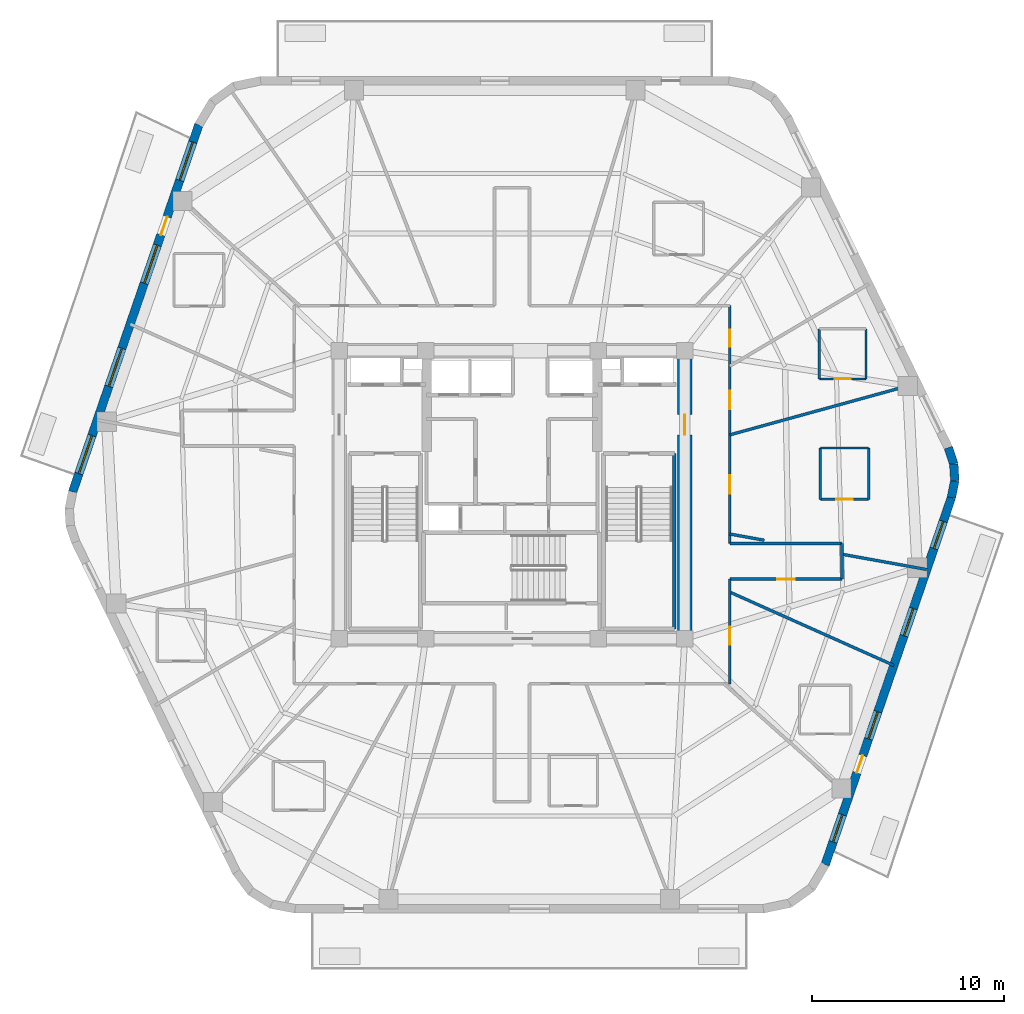
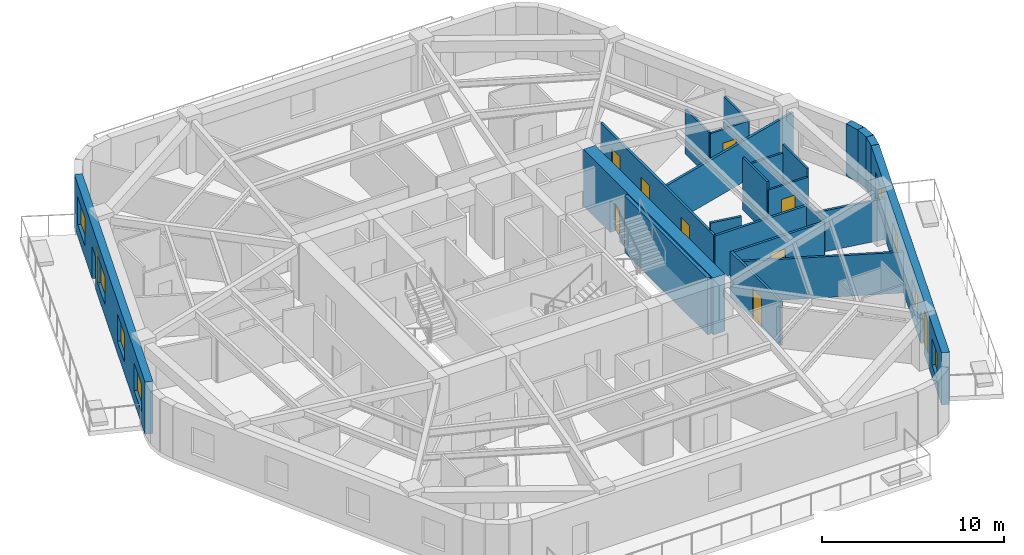
# One storey, part 5 of 9: 23 walls, 10 doors, 8 windows, 18 openings.
"""IFC4 building model written with IfcOpenShell, lengths in metres."""

from ifc_helpers import new_model, si_unit, direction, frame, frame_2d, origin, place, context, subcontext, project, spatial, rectangle, extrude, material, layer, layer_set, type_object, element, fill, save


model = new_model("IFC4")

# Units and contexts
model_context = context("Model", 3, precision=1e-05, world=origin(), true_north=direction((0.0, 1.0)))
body_context = subcontext(model_context, "Body", "Model", "MODEL_VIEW")
ifc_project = project(units=[si_unit("LENGTHUNIT", "METRE"), si_unit("AREAUNIT", "SQUARE_METRE"), si_unit("VOLUMEUNIT", "CUBIC_METRE"), si_unit("PLANEANGLEUNIT", "RADIAN"), si_unit("MASSUNIT", "GRAM", prefix="KILO")], contexts=[model_context])

# Site, building, storey
site_placement = place(None, origin())
site = spatial("IfcSite", under=ifc_project, at=site_placement, CompositionType="ELEMENT")
building_placement = place(site_placement, origin())
building = spatial("IfcBuilding", under=site, at=building_placement, Name="Kilnhurst Terrace Hotel", CompositionType="ELEMENT")
storey_placement = place(building_placement, frame((0.0, 0.0, 225.5)))
storey = spatial("IfcBuildingStorey", under=building, at=storey_placement, Name="L56", CompositionType="ELEMENT", Elevation=225.5)

# Walls
ifc_material_1 = material(Name="Precast concrete C40/50", Category="concrete")
ifc_layer_1 = layer(ifc_material_1, 0.449951171875, Name="Precast concrete C40/50")
ifc_layer_set_1 = layer_set([ifc_layer_1], Name="Precast concrete C40/50")
wall_type_1 = type_object("IfcWallType", Name="WL-BRK-450", PredefinedType="SOLIDWALL", material=ifc_layer_set_1)
wall_1_placement = place(storey_placement, frame((22.8984375, -0.149658203125, 0.0), z_axis=(0.0, 0.0, 1.0), x_axis=(0.199055826889, 0.979988151858, 0.0)))
element("IfcWall", 1, at=wall_1_placement, inside=storey, type_object=wall_type_1, Name="L56 Rounded Corner Brick Wall C3.1", PredefinedType="SOLIDWALL", context=body_context, shape_type="SweptSolid", body=[
    extrude(rectangle(XDim=0.89404296875, YDim=0.449951171875, at=frame_2d((0.447021484375, 0.0))), origin(), (0.0, 0.0, 1.0), 3.5),
])
wall_2_placement = place(storey_placement, frame((23.076416015625, 0.7265625, 0.0), z_axis=(0.0, 0.0, 1.0), x_axis=(-0.060805222108, 0.998149650586, 0.0)))
element("IfcWall", 2, at=wall_2_placement, inside=storey, type_object=wall_type_1, Name="L56 Rounded Corner Brick Wall C3.2", PredefinedType="SOLIDWALL", context=body_context, shape_type="SweptSolid", body=[
    extrude(rectangle(XDim=0.87939453125, YDim=0.449951171875, at=frame_2d((0.439697265625, 0.0))), origin(), (0.0, 0.0, 1.0), 3.5),
])
wall_3_placement = place(storey_placement, frame((23.02294921875, 1.604248046875, 0.0), z_axis=(0.0, 0.0, 1.0), x_axis=(-0.316801227695, 0.948491951537, 0.0)))
element("IfcWall", 3, at=wall_3_placement, inside=storey, type_object=wall_type_1, Name="L56 Rounded Corner Brick Wall C3.3", PredefinedType="SOLIDWALL", context=body_context, shape_type="SweptSolid", body=[
    extrude(rectangle(XDim=0.89404296875, YDim=0.449951171875, at=frame_2d((0.447021484375, 0.0))), origin(), (0.0, 0.0, 1.0), 3.5),
])

# Wall, openings, door, windows
wall_4_placement = place(storey_placement, frame((16.323974609375, -19.275146484375, 0.0), z_axis=(0.0, 0.0, 1.0), x_axis=(0.325083142304, 0.945685439557, 0.0)))
wall_4 = element("IfcWall", 4, at=wall_4_placement, inside=storey, type_object=wall_type_1, Name="L56 Exterior Brick Facade Wall F2", PredefinedType="SOLIDWALL", context=body_context, shape_type="SweptSolid", body=[
    extrude(rectangle(XDim=20.223876953125, YDim=0.449951171875, at=frame_2d((10.11181640625, 0.0))), origin(), (0.0, 0.0, 1.0), 3.5),
])
opening_1_placement = place(wall_4_placement, frame((5.06201171875, 0.0, 0.0)))
opening_1 = element("IfcOpeningElement", 5, at=opening_1_placement, cuts=wall_4, Name="Opening BD-950", PredefinedType="OPENING", context=body_context, shape_type="SweptSolid", body=[
    extrude(rectangle(XDim=0.949951171875, YDim=2.14990234375, at=frame_2d((0.47509765625, 1.074951171875))), frame((0.0, 0.23486328125, 0.0), z_axis=(0.0, -1.0, 0.0), x_axis=(1.0, 0.0, 0.0)), (0.0, 0.0, 1.0), 0.469970703125),
])
opening_2_placement = place(wall_4_placement, frame((1.2529296875, 0.0, 0.800048828125)))
opening_2 = element("IfcOpeningElement", 6, at=opening_2_placement, cuts=wall_4, Name="Opening W-02", PredefinedType="OPENING", context=body_context, shape_type="SweptSolid", body=[
    extrude(rectangle(XDim=1.5, YDim=1.800048828125, at=frame_2d((0.75, 0.89990234375))), frame((0.0, 0.23486328125, 0.0), z_axis=(0.0, -1.0, 0.0), x_axis=(1.0, 0.0, 0.0)), (0.0, 0.0, 1.0), 0.469970703125),
])
opening_3_placement = place(wall_4_placement, frame((6.928955078125, 0.0, 0.800048828125)))
opening_3 = element("IfcOpeningElement", 7, at=opening_3_placement, cuts=wall_4, Name="Opening W-02", PredefinedType="OPENING", context=body_context, shape_type="SweptSolid", body=[
    extrude(rectangle(XDim=1.5, YDim=1.800048828125, at=frame_2d((0.75, 0.89990234375))), frame((0.0, 0.23486328125, 0.0), z_axis=(0.0, -1.0, 0.0), x_axis=(1.0, 0.0, 0.0)), (0.0, 0.0, 1.0), 0.469970703125),
])
opening_4_placement = place(wall_4_placement, frame((12.612060546875, 0.0, 0.800048828125)))
opening_4 = element("IfcOpeningElement", 8, at=opening_4_placement, cuts=wall_4, Name="Opening W-02", PredefinedType="OPENING", context=body_context, shape_type="SweptSolid", body=[
    extrude(rectangle(XDim=1.5, YDim=1.800048828125, at=frame_2d((0.75, 0.89990234375))), frame((0.0, 0.23486328125, 0.0), z_axis=(0.0, -1.0, 0.0), x_axis=(1.0, 0.0, 0.0)), (0.0, 0.0, 1.0), 0.469970703125),
])
opening_5_placement = place(wall_4_placement, frame((17.41796875, 0.0, 0.800048828125)))
opening_5 = element("IfcOpeningElement", 9, at=opening_5_placement, cuts=wall_4, Name="Opening W-02", PredefinedType="OPENING", context=body_context, shape_type="SweptSolid", body=[
    extrude(rectangle(XDim=1.5, YDim=1.800048828125, at=frame_2d((0.75, 0.89990234375))), frame((0.0, 0.23486328125, 0.0), z_axis=(0.0, -1.0, 0.0), x_axis=(1.0, 0.0, 0.0)), (0.0, 0.0, 1.0), 0.469970703125),
])
ifc_material_2 = material(Name="Thermally Broken Bronze Aluminium Alloy 6063-T6 and Laminated Glass", Category="aluminium")
door_type_1 = type_object("IfcDoorType", Name="DR-EXT-BAL-950", OperationType="NOTDEFINED", PredefinedType="DOOR", material=ifc_material_2)
door_1_placement = place(opening_1_placement, origin())
door_1 = element("IfcDoor", 10, at=door_1_placement, inside=storey, type_object=door_type_1, Name="L56 Planted Balcony Door BAL-L1B", OperationType="SINGLE_SWING_RIGHT", OverallHeight=2.14990234375, OverallWidth=0.949951171875, PredefinedType="DOOR", context=body_context, shape_type="SweptSolid", body=[
    extrude(rectangle(XDim=0.949951171875, YDim=2.14990234375, at=frame_2d((0.47509765625, 1.074951171875))), frame((0.0, 0.02490234375, 0.0), z_axis=(0.0, -1.0, 0.0), x_axis=(1.0, 0.0, 0.0)), (0.0, 0.0, 1.0), 0.050048828125),
])
fill(opening_1, door_1)
ifc_material_3 = material(Name="Thermally Broken Bronze Aluminium Alloy 6063-T6 and Low-E Glass", Category="aluminium")
window_type_1 = type_object("IfcWindowType", Name="WIN-1500X1800", PartitioningType="SINGLE_PANEL", PredefinedType="WINDOW", material=ifc_material_3)
window_1_placement = place(opening_2_placement, origin())
window_1 = element("IfcWindow", 11, at=window_1_placement, inside=storey, type_object=window_type_1, Name="L56 Deep-Set Masonry Window F2.1", OverallHeight=1.800048828125, OverallWidth=1.5, PartitioningType="SINGLE_PANEL", PredefinedType="WINDOW", context=body_context, shape_type="SweptSolid", body=[
    extrude(rectangle(XDim=1.5, YDim=1.800048828125, at=frame_2d((0.75, 0.89990234375))), frame((0.0, 0.030029296875, 0.0), z_axis=(0.0, -1.0, 0.0), x_axis=(1.0, 0.0, 0.0)), (0.0, 0.0, 1.0), 0.06005859375),
])
fill(opening_2, window_1)
window_2_placement = place(opening_3_placement, origin())
window_2 = element("IfcWindow", 12, at=window_2_placement, inside=storey, type_object=window_type_1, Name="L56 Deep-Set Masonry Window F2.2", OverallHeight=1.800048828125, OverallWidth=1.5, PartitioningType="SINGLE_PANEL", PredefinedType="WINDOW", context=body_context, shape_type="SweptSolid", body=[
    extrude(rectangle(XDim=1.5, YDim=1.800048828125, at=frame_2d((0.75, 0.89990234375))), frame((0.0, 0.030029296875, 0.0), z_axis=(0.0, -1.0, 0.0), x_axis=(1.0, 0.0, 0.0)), (0.0, 0.0, 1.0), 0.06005859375),
])
fill(opening_3, window_2)
window_3_placement = place(opening_4_placement, origin())
window_3 = element("IfcWindow", 13, at=window_3_placement, inside=storey, type_object=window_type_1, Name="L56 Deep-Set Masonry Window F2.3", OverallHeight=1.800048828125, OverallWidth=1.5, PartitioningType="SINGLE_PANEL", PredefinedType="WINDOW", context=body_context, shape_type="SweptSolid", body=[
    extrude(rectangle(XDim=1.5, YDim=1.800048828125, at=frame_2d((0.75, 0.89990234375))), frame((0.0, 0.030029296875, 0.0), z_axis=(0.0, -1.0, 0.0), x_axis=(1.0, 0.0, 0.0)), (0.0, 0.0, 1.0), 0.06005859375),
])
fill(opening_4, window_3)
window_4_placement = place(opening_5_placement, origin())
window_4 = element("IfcWindow", 14, at=window_4_placement, inside=storey, type_object=window_type_1, Name="L56 Deep-Set Masonry Window F2.4", OverallHeight=1.800048828125, OverallWidth=1.5, PartitioningType="SINGLE_PANEL", PredefinedType="WINDOW", context=body_context, shape_type="SweptSolid", body=[
    extrude(rectangle(XDim=1.5, YDim=1.800048828125, at=frame_2d((0.75, 0.89990234375))), frame((0.0, 0.030029296875, 0.0), z_axis=(0.0, -1.0, 0.0), x_axis=(1.0, 0.0, 0.0)), (0.0, 0.0, 1.0), 0.06005859375),
])
fill(opening_5, window_4)

wall_5_placement = place(storey_placement, frame((-16.323974609375, 19.275146484375, 0.0), z_axis=(0.0, 0.0, 1.0), x_axis=(-0.325083142304, -0.945685439557, 0.0)))
wall_5 = element("IfcWall", 15, at=wall_5_placement, inside=storey, type_object=wall_type_1, Name="L56 Exterior Brick Facade Wall F5", PredefinedType="SOLIDWALL", context=body_context, shape_type="SweptSolid", body=[
    extrude(rectangle(XDim=20.223876953125, YDim=0.449951171875, at=frame_2d((10.11181640625, 0.0))), origin(), (0.0, 0.0, 1.0), 3.5),
])
opening_6_placement = place(wall_5_placement, frame((5.06201171875, 0.0, 0.0)))
opening_6 = element("IfcOpeningElement", 16, at=opening_6_placement, cuts=wall_5, Name="Opening BD-1000", PredefinedType="OPENING", context=body_context, shape_type="SweptSolid", body=[
    extrude(rectangle(XDim=1.0, YDim=2.14990234375, at=frame_2d((0.5, 1.074951171875))), frame((0.0, 0.23486328125, 0.0), z_axis=(0.0, -1.0, 0.0), x_axis=(1.0, 0.0, 0.0)), (0.0, 0.0, 1.0), 0.469970703125),
])
opening_7_placement = place(wall_5_placement, frame((0.952880859375, 0.0, 0.800048828125)))
opening_7 = element("IfcOpeningElement", 17, at=opening_7_placement, cuts=wall_5, Name="Opening W-04", PredefinedType="OPENING", context=body_context, shape_type="SweptSolid", body=[
    extrude(rectangle(XDim=2.10009765625, YDim=1.85009765625, at=frame_2d((1.050048828125, 0.925048828125))), frame((0.0, 0.23486328125, 0.0), z_axis=(0.0, -1.0, 0.0), x_axis=(1.0, 0.0, 0.0)), (0.0, 0.0, 1.0), 0.469970703125),
])
opening_8_placement = place(wall_5_placement, frame((6.62890625, 0.0, 0.800048828125)))
opening_8 = element("IfcOpeningElement", 18, at=opening_8_placement, cuts=wall_5, Name="Opening W-04", PredefinedType="OPENING", context=body_context, shape_type="SweptSolid", body=[
    extrude(rectangle(XDim=2.10009765625, YDim=1.85009765625, at=frame_2d((1.050048828125, 0.925048828125))), frame((0.0, 0.23486328125, 0.0), z_axis=(0.0, -1.0, 0.0), x_axis=(1.0, 0.0, 0.0)), (0.0, 0.0, 1.0), 0.469970703125),
])
opening_9_placement = place(wall_5_placement, frame((12.31201171875, 0.0, 0.800048828125)))
opening_9 = element("IfcOpeningElement", 19, at=opening_9_placement, cuts=wall_5, Name="Opening W-04", PredefinedType="OPENING", context=body_context, shape_type="SweptSolid", body=[
    extrude(rectangle(XDim=2.10009765625, YDim=1.85009765625, at=frame_2d((1.050048828125, 0.925048828125))), frame((0.0, 0.23486328125, 0.0), z_axis=(0.0, -1.0, 0.0), x_axis=(1.0, 0.0, 0.0)), (0.0, 0.0, 1.0), 0.469970703125),
])
opening_10_placement = place(wall_5_placement, frame((17.117919921875, 0.0, 0.800048828125)))
opening_10 = element("IfcOpeningElement", 20, at=opening_10_placement, cuts=wall_5, Name="Opening W-04", PredefinedType="OPENING", context=body_context, shape_type="SweptSolid", body=[
    extrude(rectangle(XDim=2.10009765625, YDim=1.85009765625, at=frame_2d((1.050048828125, 0.925048828125))), frame((0.0, 0.23486328125, 0.0), z_axis=(0.0, -1.0, 0.0), x_axis=(1.0, 0.0, 0.0)), (0.0, 0.0, 1.0), 0.469970703125),
])
door_type_2 = type_object("IfcDoorType", Name="DR-EXT-BAL-1000", OperationType="NOTDEFINED", PredefinedType="DOOR", material=ifc_material_2)
door_2_placement = place(opening_6_placement, origin())
door_2 = element("IfcDoor", 21, at=door_2_placement, inside=storey, type_object=door_type_2, Name="L56 Planted Balcony Door BAL-L2B", OperationType="SINGLE_SWING_LEFT", OverallHeight=2.14990234375, OverallWidth=1.0, PredefinedType="DOOR", context=body_context, shape_type="SweptSolid", body=[
    extrude(rectangle(XDim=1.0, YDim=2.14990234375, at=frame_2d((0.5, 1.074951171875))), frame((0.0, 0.02490234375, 0.0), z_axis=(0.0, -1.0, 0.0), x_axis=(1.0, 0.0, 0.0)), (0.0, 0.0, 1.0), 0.050048828125),
])
fill(opening_6, door_2)
window_type_2 = type_object("IfcWindowType", Name="WIN-2100X1850", PartitioningType="SINGLE_PANEL", PredefinedType="WINDOW", material=ifc_material_3)
window_5_placement = place(opening_7_placement, origin())
window_5 = element("IfcWindow", 22, at=window_5_placement, inside=storey, type_object=window_type_2, Name="L56 Deep-Set Masonry Window F5.1", OverallHeight=1.85009765625, OverallWidth=2.10009765625, PartitioningType="SINGLE_PANEL", PredefinedType="WINDOW", context=body_context, shape_type="SweptSolid", body=[
    extrude(rectangle(XDim=2.10009765625, YDim=1.85009765625, at=frame_2d((1.050048828125, 0.925048828125))), frame((0.0, 0.030029296875, 0.0), z_axis=(0.0, -1.0, 0.0), x_axis=(1.0, 0.0, 0.0)), (0.0, 0.0, 1.0), 0.06005859375),
])
fill(opening_7, window_5)
window_6_placement = place(opening_8_placement, origin())
window_6 = element("IfcWindow", 23, at=window_6_placement, inside=storey, type_object=window_type_2, Name="L56 Deep-Set Masonry Window F5.2", OverallHeight=1.85009765625, OverallWidth=2.10009765625, PartitioningType="SINGLE_PANEL", PredefinedType="WINDOW", context=body_context, shape_type="SweptSolid", body=[
    extrude(rectangle(XDim=2.10009765625, YDim=1.85009765625, at=frame_2d((1.050048828125, 0.925048828125))), frame((0.0, 0.030029296875, 0.0), z_axis=(0.0, -1.0, 0.0), x_axis=(1.0, 0.0, 0.0)), (0.0, 0.0, 1.0), 0.06005859375),
])
fill(opening_8, window_6)
window_7_placement = place(opening_9_placement, origin())
window_7 = element("IfcWindow", 24, at=window_7_placement, inside=storey, type_object=window_type_2, Name="L56 Deep-Set Masonry Window F5.3", OverallHeight=1.85009765625, OverallWidth=2.10009765625, PartitioningType="SINGLE_PANEL", PredefinedType="WINDOW", context=body_context, shape_type="SweptSolid", body=[
    extrude(rectangle(XDim=2.10009765625, YDim=1.85009765625, at=frame_2d((1.050048828125, 0.925048828125))), frame((0.0, 0.030029296875, 0.0), z_axis=(0.0, -1.0, 0.0), x_axis=(1.0, 0.0, 0.0)), (0.0, 0.0, 1.0), 0.06005859375),
])
fill(opening_9, window_7)
window_8_placement = place(opening_10_placement, origin())
window_8 = element("IfcWindow", 25, at=window_8_placement, inside=storey, type_object=window_type_2, Name="L56 Deep-Set Masonry Window F5.4", OverallHeight=1.85009765625, OverallWidth=2.10009765625, PartitioningType="SINGLE_PANEL", PredefinedType="WINDOW", context=body_context, shape_type="SweptSolid", body=[
    extrude(rectangle(XDim=2.10009765625, YDim=1.85009765625, at=frame_2d((1.050048828125, 0.925048828125))), frame((0.0, 0.030029296875, 0.0), z_axis=(0.0, -1.0, 0.0), x_axis=(1.0, 0.0, 0.0)), (0.0, 0.0, 1.0), 0.06005859375),
])
fill(opening_10, window_8)

# Wall, openings, doors
ifc_material_4 = material(Name="Acoustic Double-Gypsum Corridor Partition Assembly")
ifc_layer_2 = layer(ifc_material_4, 0.14990234375, Name="Acoustic Double-Gypsum Corridor Partition Assembly")
ifc_layer_set_2 = layer_set([ifc_layer_2], Name="Acoustic Double-Gypsum Corridor Partition Assembly")
wall_type_2 = type_object("IfcWallType", Name="WL-COR-150", PredefinedType="PARTITIONING", material=ifc_layer_set_2)
wall_6_placement = place(storey_placement, frame((11.35009765625, 9.85009765625, 0.0), z_axis=(0.0, 0.0, 1.0), x_axis=(0.0, -1.0, 0.0)))
wall_6 = element("IfcWall", 26, at=wall_6_placement, inside=storey, type_object=wall_type_2, Name="L56 Interior Wall WL-L56-COR-11", PredefinedType="PARTITIONING", context=body_context, shape_type="SweptSolid", body=[
    extrude(rectangle(XDim=12.400146484375, YDim=0.14990234375, at=frame_2d((6.2001953125, 0.0))), origin(), (0.0, 0.0, 1.0), 2.989990234375),
])
opening_11_placement = place(wall_6_placement, frame((4.443115234375, 0.0, 0.0)))
opening_11 = element("IfcOpeningElement", 27, at=opening_11_placement, cuts=wall_6, Name="Opening D-60B", PredefinedType="OPENING", context=body_context, shape_type="SweptSolid", body=[
    extrude(rectangle(XDim=0.949951171875, YDim=2.030029296875, at=frame_2d((0.47509765625, 1.01513671875))), frame((0.0, 0.0849609375, 0.0), z_axis=(0.0, -1.0, 0.0), x_axis=(1.0, 0.0, 0.0)), (0.0, 0.0, 1.0), 0.169921875),
])
opening_12_placement = place(wall_6_placement, frame((1.241943359375, 0.0, 0.0)))
opening_12 = element("IfcOpeningElement", 28, at=opening_12_placement, cuts=wall_6, Name="Opening D-60C", PredefinedType="OPENING", context=body_context, shape_type="SweptSolid", body=[
    extrude(rectangle(XDim=0.89990234375, YDim=2.030029296875, at=frame_2d((0.449951171875, 1.01513671875))), frame((0.0, 0.0849609375, 0.0), z_axis=(0.0, -1.0, 0.0), x_axis=(1.0, 0.0, 0.0)), (0.0, 0.0, 1.0), 0.169921875),
])
opening_13_placement = place(wall_6_placement, frame((8.8349609375, 0.0, 0.0)))
opening_13 = element("IfcOpeningElement", 29, at=opening_13_placement, cuts=wall_6, Name="Opening D-60B", PredefinedType="OPENING", context=body_context, shape_type="SweptSolid", body=[
    extrude(rectangle(XDim=0.949951171875, YDim=2.030029296875, at=frame_2d((0.47509765625, 1.01513671875))), frame((0.0, 0.0849609375, 0.0), z_axis=(0.0, -1.0, 0.0), x_axis=(1.0, 0.0, 0.0)), (0.0, 0.0, 1.0), 0.169921875),
])
ifc_material_5 = material(Name="Painted Solid-Core Service Fire Door")
door_type_3 = type_object("IfcDoorType", Name="DR-FD60-900", OperationType="NOTDEFINED", PredefinedType="DOOR", material=ifc_material_5)
door_3_placement = place(opening_12_placement, origin())
door_3 = element("IfcDoor", 30, at=door_3_placement, inside=storey, type_object=door_type_3, Name="L56 Executive Work Office Door 2", OperationType="SINGLE_SWING_RIGHT", OverallHeight=2.030029296875, OverallWidth=0.89990234375, PredefinedType="DOOR", context=body_context, shape_type="SweptSolid", body=[
    extrude(rectangle(XDim=0.89990234375, YDim=2.030029296875, at=frame_2d((0.449951171875, 1.01513671875))), frame((0.0, 0.02490234375, 0.0), z_axis=(0.0, -1.0, 0.0), x_axis=(1.0, 0.0, 0.0)), (0.0, 0.0, 1.0), 0.050048828125),
])
fill(opening_12, door_3)
ifc_material_6 = material(Name="Acoustic Walnut Veneer Solid-Core Fire Door")
door_type_4 = type_object("IfcDoorType", Name="DR-FD60-950", OperationType="NOTDEFINED", PredefinedType="DOOR", material=ifc_material_6)
door_4_placement = place(opening_11_placement, origin())
door_4 = element("IfcDoor", 31, at=door_4_placement, inside=storey, type_object=door_type_4, Name="L56 Guest Room Entry Door 1", OperationType="SINGLE_SWING_LEFT", OverallHeight=2.030029296875, OverallWidth=0.949951171875, PredefinedType="DOOR", context=body_context, shape_type="SweptSolid", body=[
    extrude(rectangle(XDim=0.949951171875, YDim=2.030029296875, at=frame_2d((0.47509765625, 1.01513671875))), frame((0.0, 0.02490234375, 0.0), z_axis=(0.0, -1.0, 0.0), x_axis=(1.0, 0.0, 0.0)), (0.0, 0.0, 1.0), 0.050048828125),
])
fill(opening_11, door_4)
door_5_placement = place(opening_13_placement, origin())
door_5 = element("IfcDoor", 32, at=door_5_placement, inside=storey, type_object=door_type_4, Name="L56 Executive Suite Entry Door 18", OperationType="SINGLE_SWING_RIGHT", OverallHeight=2.030029296875, OverallWidth=0.949951171875, PredefinedType="DOOR", context=body_context, shape_type="SweptSolid", body=[
    extrude(rectangle(XDim=0.949951171875, YDim=2.030029296875, at=frame_2d((0.47509765625, 1.01513671875))), frame((0.0, 0.02490234375, 0.0), z_axis=(0.0, -1.0, 0.0), x_axis=(1.0, 0.0, 0.0)), (0.0, 0.0, 1.0), 0.050048828125),
])
fill(opening_13, door_5)

# Walls
wall_7_placement = place(storey_placement, frame((11.35009765625, -2.550048828125, 0.0), z_axis=(0.0, 0.0, 1.0), x_axis=(1.0, 0.0, 0.0)))
element("IfcWall", 33, at=wall_7_placement, inside=storey, type_object=wall_type_2, Name="L56 Interior Wall WL-L56-COR-12", PredefinedType="PARTITIONING", context=body_context, shape_type="SweptSolid", body=[
    extrude(rectangle(XDim=5.849853515625, YDim=0.14990234375, at=frame_2d((2.9248046875, 0.0))), origin(), (0.0, 0.0, 1.0), 2.9404296875),
])
wall_8_placement = place(storey_placement, frame((17.199951171875, -2.550048828125, 0.0), z_axis=(0.0, 0.0, 1.0), x_axis=(0.0, -1.0, 0.0)))
element("IfcWall", 34, at=wall_8_placement, inside=storey, type_object=wall_type_2, Name="L56 Interior Wall WL-L56-COR-13", PredefinedType="PARTITIONING", context=body_context, shape_type="SweptSolid", body=[
    extrude(rectangle(XDim=1.849853515625, YDim=0.14990234375, at=frame_2d((0.9248046875, 0.0))), origin(), (0.0, 0.0, 1.0), 2.9404296875),
])

# Wall, opening, door
wall_9_placement = place(storey_placement, frame((17.199951171875, -4.39990234375, 0.0), z_axis=(0.0, 0.0, 1.0), x_axis=(-1.0, 0.0, 0.0)))
wall_9 = element("IfcWall", 35, at=wall_9_placement, inside=storey, type_object=wall_type_2, Name="L56 Interior Wall WL-L56-COR-14", PredefinedType="PARTITIONING", context=body_context, shape_type="SweptSolid", body=[
    extrude(rectangle(XDim=5.849853515625, YDim=0.14990234375, at=frame_2d((2.9248046875, 0.0))), origin(), (0.0, 0.0, 1.0), 2.9404296875),
])
opening_14_placement = place(wall_9_placement, frame((2.47509765625, 0.0, 0.0)))
opening_14 = element("IfcOpeningElement", 36, at=opening_14_placement, cuts=wall_9, Name="Opening D-60C", PredefinedType="OPENING", context=body_context, shape_type="SweptSolid", body=[
    extrude(rectangle(XDim=0.89990234375, YDim=2.030029296875, at=frame_2d((0.449951171875, 1.01513671875))), frame((0.0, 0.0849609375, 0.0), z_axis=(0.0, -1.0, 0.0), x_axis=(1.0, 0.0, 0.0)), (0.0, 0.0, 1.0), 0.169921875),
])
door_6_placement = place(opening_14_placement, origin())
door_6 = element("IfcDoor", 37, at=door_6_placement, inside=storey, type_object=door_type_3, Name="L56 Executive Work Office Door 17", OperationType="SINGLE_SWING_LEFT", OverallHeight=2.030029296875, OverallWidth=0.89990234375, PredefinedType="DOOR", context=body_context, shape_type="SweptSolid", body=[
    extrude(rectangle(XDim=0.89990234375, YDim=2.030029296875, at=frame_2d((0.449951171875, 1.01513671875))), frame((0.0, 0.02490234375, 0.0), z_axis=(0.0, -1.0, 0.0), x_axis=(1.0, 0.0, 0.0)), (0.0, 0.0, 1.0), 0.050048828125),
])
fill(opening_14, door_6)

wall_10_placement = place(storey_placement, frame((11.35009765625, -4.39990234375, 0.0), z_axis=(0.0, 0.0, 1.0), x_axis=(0.0, -1.0, 0.0)))
wall_10 = element("IfcWall", 38, at=wall_10_placement, inside=storey, type_object=wall_type_2, Name="L56 Interior Wall WL-L56-COR-15", PredefinedType="PARTITIONING", context=body_context, shape_type="SweptSolid", body=[
    extrude(rectangle(XDim=5.4501953125, YDim=0.14990234375, at=frame_2d((2.72509765625, 0.0))), origin(), (0.0, 0.0, 1.0), 2.989990234375),
])
opening_15_placement = place(wall_10_placement, frame((2.466064453125, 0.0, 0.0)))
opening_15 = element("IfcOpeningElement", 39, at=opening_15_placement, cuts=wall_10, Name="Opening D-60B", PredefinedType="OPENING", context=body_context, shape_type="SweptSolid", body=[
    extrude(rectangle(XDim=0.949951171875, YDim=2.030029296875, at=frame_2d((0.47509765625, 1.01513671875))), frame((0.0, 0.0849609375, 0.0), z_axis=(0.0, -1.0, 0.0), x_axis=(1.0, 0.0, 0.0)), (0.0, 0.0, 1.0), 0.169921875),
])
door_7_placement = place(opening_15_placement, origin())
door_7 = element("IfcDoor", 40, at=door_7_placement, inside=storey, type_object=door_type_4, Name="L56 Guest Room Entry Door 16", OperationType="SINGLE_SWING_RIGHT", OverallHeight=2.030029296875, OverallWidth=0.949951171875, PredefinedType="DOOR", context=body_context, shape_type="SweptSolid", body=[
    extrude(rectangle(XDim=0.949951171875, YDim=2.030029296875, at=frame_2d((0.47509765625, 1.01513671875))), frame((0.0, 0.02490234375, 0.0), z_axis=(0.0, -1.0, 0.0), x_axis=(1.0, 0.0, 0.0)), (0.0, 0.0, 1.0), 0.050048828125),
])
fill(opening_15, door_7)

ifc_material_7 = material(Name="Concrete C60/75", Category="concrete")
ifc_layer_3 = layer(ifc_material_7, 0.75, Name="Concrete C60/75")
ifc_layer_set_3 = layer_set([ifc_layer_3], Name="Concrete C60/75")
wall_type_3 = type_object("IfcWallType", Name="WL-CORE-750", PredefinedType="SHEAR", material=ifc_layer_set_3)
wall_11_placement = place(storey_placement, frame((9.0, -7.125, 0.0), z_axis=(0.0, 0.0, 1.0), x_axis=(0.0, 1.0, 0.0)))
wall_11 = element("IfcWall", 41, at=wall_11_placement, inside=storey, type_object=wall_type_3, Name="L56 Core East Shear Wall", PredefinedType="SHEAR", context=body_context, shape_type="SweptSolid", body=[
    extrude(rectangle(XDim=14.25, YDim=0.75, at=frame_2d((7.125, 0.0))), origin(), (0.0, 0.0, 1.0), 3.800048828125),
])
opening_16_placement = place(wall_11_placement, frame((10.25, 0.0, 0.0)))
opening_16 = element("IfcOpeningElement", 42, at=opening_16_placement, cuts=wall_11, Name="Opening D-90A", PredefinedType="OPENING", context=body_context, shape_type="SweptSolid", body=[
    extrude(rectangle(XDim=1.050048828125, YDim=2.14990234375, at=frame_2d((0.52490234375, 1.074951171875))), frame((0.0, 0.385009765625, 0.0), z_axis=(0.0, -1.0, 0.0), x_axis=(1.0, 0.0, 0.0)), (0.0, 0.0, 1.0), 0.77001953125),
])
ifc_material_8 = material(Name="Painted Hollow Metal Steel ASTM A36 Fire Door", Category="steel")
door_type_5 = type_object("IfcDoorType", Name="DR-FD90-1050", OperationType="NOTDEFINED", PredefinedType="DOOR", material=ifc_material_8)
door_8_placement = place(opening_16_placement, origin())
door_8 = element("IfcDoor", 43, at=door_8_placement, inside=storey, type_object=door_type_5, Name="L56 East Firefighting Lobby Door", OperationType="SINGLE_SWING_LEFT", OverallHeight=2.14990234375, OverallWidth=1.050048828125, PredefinedType="DOOR", context=body_context, shape_type="SweptSolid", body=[
    extrude(rectangle(XDim=1.050048828125, YDim=2.14990234375, at=frame_2d((0.52490234375, 1.074951171875))), frame((0.0, 0.02490234375, 0.0), z_axis=(0.0, -1.0, 0.0), x_axis=(1.0, 0.0, 0.0)), (0.0, 0.0, 1.0), 0.050048828125),
])
fill(opening_16, door_8)

# Walls
ifc_material_9 = material(Name="STC-58 Acoustic Twin-Frame Guestroom Demising Partition")
ifc_layer_4 = layer(ifc_material_9, 0.14990234375, Name="STC-58 Acoustic Twin-Frame Guestroom Demising Partition")
ifc_layer_set_4 = layer_set([ifc_layer_4], Name="STC-58 Acoustic Twin-Frame Guestroom Demising Partition")
wall_type_4 = type_object("IfcWallType", Name="WL-DEM-150", PredefinedType="PARTITIONING", material=ifc_layer_set_4)
wall_12_placement = place(storey_placement, frame((11.35009765625, 3.12060546875, 0.0), z_axis=(0.0, 0.0, 1.0), x_axis=(0.964212793822, 0.265129568758, 0.0)))
element("IfcWall", 44, at=wall_12_placement, inside=storey, type_object=wall_type_4, Name="L56 Interior Wall WL-L56-DEM-COL01-01-1", PredefinedType="PARTITIONING", context=body_context, shape_type="SweptSolid", body=[
    extrude(rectangle(XDim=10.119873046875, YDim=0.14990234375, at=frame_2d((5.06005859375, 0.0))), origin(), (0.0, 0.0, 1.0), 2.739990234375),
])
wall_13_placement = place(storey_placement, frame((11.35009765625, -5.072021484375, 0.0), z_axis=(0.0, 0.0, 1.0), x_axis=(0.912980177983, -0.408003914944, 0.0)))
element("IfcWall", 45, at=wall_13_placement, inside=storey, type_object=wall_type_4, Name="L56 Interior Wall WL-L56-DEM-MID11-17-1", PredefinedType="PARTITIONING", context=body_context, shape_type="SweptSolid", body=[
    extrude(rectangle(XDim=9.358154296875, YDim=0.14990234375, at=frame_2d((4.67919921875, 0.0))), origin(), (0.0, 0.0, 1.0), 2.739990234375),
])
wall_14_placement = place(storey_placement, frame((11.35009765625, -2.046142578125, 0.0), z_axis=(0.0, 0.0, 1.0), x_axis=(0.984127783205, -0.177461281195, 0.0)))
element("IfcWall", 46, at=wall_14_placement, inside=storey, type_object=wall_type_4, Name="L56 Interior Wall WL-L56-DEM-COL12-18-1", PredefinedType="PARTITIONING", context=body_context, shape_type="SweptSolid", body=[
    extrude(rectangle(XDim=1.82568359375, YDim=0.14990234375, at=frame_2d((0.912841796875, 0.0))), origin(), (0.0, 0.0, 1.0), 3.5),
])
wall_15_placement = place(storey_placement, frame((17.199951171875, -3.1005859375, 0.0), z_axis=(0.0, 0.0, 1.0), x_axis=(0.98413465883, -0.177423147559, 0.0)))
element("IfcWall", 47, at=wall_15_placement, inside=storey, type_object=wall_type_4, Name="L56 Interior Wall WL-L56-DEM-COL12-18-2", PredefinedType="PARTITIONING", context=body_context, shape_type="SweptSolid", body=[
    extrude(rectangle(XDim=4.481689453125, YDim=0.14990234375, at=frame_2d((2.24072265625, 0.0))), origin(), (0.0, 0.0, 1.0), 2.739990234375),
])

# Wall, opening, door
ifc_material_10 = material(Name="120 mm Moisture-Resistant Tile-Backed Bathroom Partition")
ifc_layer_5 = layer(ifc_material_10, 0.1201171875, Name="120 mm Moisture-Resistant Tile-Backed Bathroom Partition")
ifc_layer_set_5 = layer_set([ifc_layer_5], Name="120 mm Moisture-Resistant Tile-Backed Bathroom Partition")
wall_type_5 = type_object("IfcWallType", Name="WL-PART-120", PredefinedType="PARTITIONING", material=ifc_layer_set_5)
wall_16_placement = place(storey_placement, frame((16.011962890625, 6.033935546875, 0.0), z_axis=(0.0, 0.0, 1.0), x_axis=(1.0, 0.0, 0.0)))
wall_16 = element("IfcWall", 48, at=wall_16_placement, inside=storey, type_object=wall_type_5, Name="L56 Interior Wall WL-L56-BTH-01-1", PredefinedType="PARTITIONING", context=body_context, shape_type="SweptSolid", body=[
    extrude(rectangle(XDim=2.43994140625, YDim=0.1201171875, at=frame_2d((1.219970703125, 0.0))), origin(), (0.0, 0.0, 1.0), 2.9404296875),
])
opening_17_placement = place(wall_16_placement, frame((0.794921875, 0.0, 0.0)))
opening_17 = element("IfcOpeningElement", 49, at=opening_17_placement, cuts=wall_16, Name="Opening D-08A", PredefinedType="OPENING", context=body_context, shape_type="SweptSolid", body=[
    extrude(rectangle(XDim=0.85009765625, YDim=2.030029296875, at=frame_2d((0.425048828125, 1.01513671875))), frame((0.0, 0.070068359375, 0.0), z_axis=(0.0, -1.0, 0.0), x_axis=(1.0, 0.0, 0.0)), (0.0, 0.0, 1.0), 0.14013671875),
])
ifc_material_11 = material(Name="Moisture-Resistant Lacquered En-suite Bathroom Door")
door_type_6 = type_object("IfcDoorType", Name="DR-INT-850", OperationType="NOTDEFINED", PredefinedType="DOOR", material=ifc_material_11)
door_9_placement = place(opening_17_placement, origin())
door_9 = element("IfcDoor", 50, at=door_9_placement, inside=storey, type_object=door_type_6, Name="L56 En-suite Bathroom Door 1", OperationType="SINGLE_SWING_RIGHT", OverallHeight=2.030029296875, OverallWidth=0.85009765625, PredefinedType="DOOR", context=body_context, shape_type="SweptSolid", body=[
    extrude(rectangle(XDim=0.85009765625, YDim=2.030029296875, at=frame_2d((0.425048828125, 1.01513671875))), frame((0.0, 0.02490234375, 0.0), z_axis=(0.0, -1.0, 0.0), x_axis=(1.0, 0.0, 0.0)), (0.0, 0.0, 1.0), 0.050048828125),
])
fill(opening_17, door_9)

# Walls
for number, where, z_axis, x_axis, name in (
    (51, (18.451904296875, 6.033935546875, 0.0), (0.0, 0.0, 1.0), (0.0, 1.0, 0.0), "L56 Interior Wall WL-L56-BTH-01-2"),
    (52, (16.011962890625, 8.64404296875, 0.0), (0.0, 0.0, 1.0), (0.0, -1.0, 0.0), "L56 Interior Wall WL-L56-BTH-01-4"),
):
    element("IfcWall", number, at=place(storey_placement, frame(where, z_axis=z_axis, x_axis=x_axis)), inside=storey, type_object=wall_type_5, Name=name, PredefinedType="PARTITIONING", context=body_context, shape_type="SweptSolid", body=[
        extrude(rectangle(XDim=2.610107421875, YDim=0.1201171875, at=frame_2d((1.30517578125, 0.0))), origin(), (0.0, 0.0, 1.0), 2.989990234375),
    ])

# Wall, opening, door
wall_17_placement = place(storey_placement, frame((16.06591796875, -0.239013671875, 0.0), z_axis=(0.0, 0.0, 1.0), x_axis=(1.0, 0.0, 0.0)))
wall_17 = element("IfcWall", 53, at=wall_17_placement, inside=storey, type_object=wall_type_5, Name="L56 Interior Wall WL-L56-BTH-18-1", PredefinedType="PARTITIONING", context=body_context, shape_type="SweptSolid", body=[
    extrude(rectangle(XDim=2.52001953125, YDim=0.1201171875, at=frame_2d((1.260009765625, 0.0))), origin(), (0.0, 0.0, 1.0), 2.9404296875),
])
opening_18_placement = place(wall_17_placement, frame((0.8349609375, 0.0, 0.0)))
opening_18 = element("IfcOpeningElement", 54, at=opening_18_placement, cuts=wall_17, Name="Opening D-08A", PredefinedType="OPENING", context=body_context, shape_type="SweptSolid", body=[
    extrude(rectangle(XDim=0.85009765625, YDim=2.030029296875, at=frame_2d((0.425048828125, 1.01513671875))), frame((0.0, 0.070068359375, 0.0), z_axis=(0.0, -1.0, 0.0), x_axis=(1.0, 0.0, 0.0)), (0.0, 0.0, 1.0), 0.14013671875),
])
door_10_placement = place(opening_18_placement, origin())
door_10 = element("IfcDoor", 55, at=door_10_placement, inside=storey, type_object=door_type_6, Name="L56 En-suite Bathroom Door 18", OperationType="SINGLE_SWING_LEFT", OverallHeight=2.030029296875, OverallWidth=0.85009765625, PredefinedType="DOOR", context=body_context, shape_type="SweptSolid", body=[
    extrude(rectangle(XDim=0.85009765625, YDim=2.030029296875, at=frame_2d((0.425048828125, 1.01513671875))), frame((0.0, 0.02490234375, 0.0), z_axis=(0.0, -1.0, 0.0), x_axis=(1.0, 0.0, 0.0)), (0.0, 0.0, 1.0), 0.050048828125),
])
fill(opening_18, door_10)

# Walls
wall_18_placement = place(storey_placement, frame((18.5859375, -0.239013671875, 0.0), z_axis=(0.0, 0.0, 1.0), x_axis=(0.0, 1.0, 0.0)))
element("IfcWall", 56, at=wall_18_placement, inside=storey, type_object=wall_type_5, Name="L56 Interior Wall WL-L56-BTH-18-2", PredefinedType="PARTITIONING", context=body_context, shape_type="SweptSolid", body=[
    extrude(rectangle(XDim=2.679931640625, YDim=0.1201171875, at=frame_2d((1.33984375, 0.0))), origin(), (0.0, 0.0, 1.0), 3.5),
])
wall_19_placement = place(storey_placement, frame((18.5859375, 2.44091796875, 0.0), z_axis=(0.0, 0.0, 1.0), x_axis=(-1.0, 0.0, 0.0)))
element("IfcWall", 57, at=wall_19_placement, inside=storey, type_object=wall_type_5, Name="L56 Interior Wall WL-L56-BTH-18-3", PredefinedType="PARTITIONING", context=body_context, shape_type="SweptSolid", body=[
    extrude(rectangle(XDim=2.52001953125, YDim=0.1201171875, at=frame_2d((1.260009765625, 0.0))), origin(), (0.0, 0.0, 1.0), 2.9404296875),
])
wall_20_placement = place(storey_placement, frame((16.06591796875, 2.44091796875, 0.0), z_axis=(0.0, 0.0, 1.0), x_axis=(0.0, -1.0, 0.0)))
element("IfcWall", 58, at=wall_20_placement, inside=storey, type_object=wall_type_5, Name="L56 Interior Wall WL-L56-BTH-18-4", PredefinedType="PARTITIONING", context=body_context, shape_type="SweptSolid", body=[
    extrude(rectangle(XDim=2.679931640625, YDim=0.1201171875, at=frame_2d((1.33984375, 0.0))), origin(), (0.0, 0.0, 1.0), 3.5),
])
ifc_material_12 = material(Name="Concrete C50/60", Category="concrete")
ifc_layer_6 = layer(ifc_material_12, 0.199951171875, Name="Concrete C50/60")
ifc_layer_set_6 = layer_set([ifc_layer_6], Name="Concrete C50/60")
wall_type_6 = type_object("IfcWallType", Name="WL-STAIR-RC-200", PredefinedType="SHEAR", material=ifc_layer_set_6)
wall_21_placement = place(storey_placement, frame((8.4580078125, -6.985107421875, 0.0), z_axis=(0.0, 0.0, 1.0), x_axis=(0.0, 1.0, 0.0)))
element("IfcWall", 59, at=wall_21_placement, inside=storey, type_object=wall_type_6, Name="L56 Structural Stair Shaft Wall WL-L56-ST2-E", PredefinedType="SHEAR", context=body_context, shape_type="SweptSolid", body=[
    extrude(rectangle(XDim=9.14306640625, YDim=0.199951171875, at=frame_2d((4.571533203125, 0.0))), origin(), (0.0, 0.0, 1.0), 3.800048828125),
])

save(model, "model.ifc")
